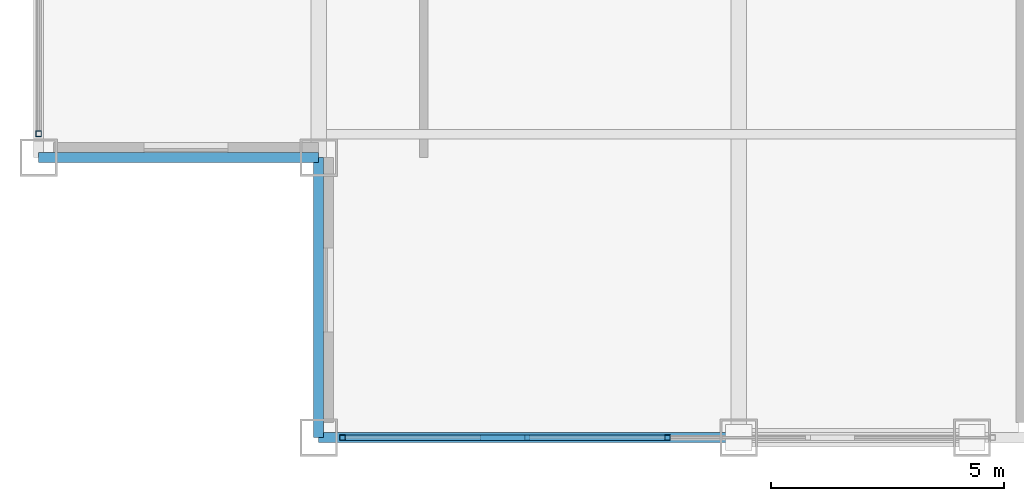
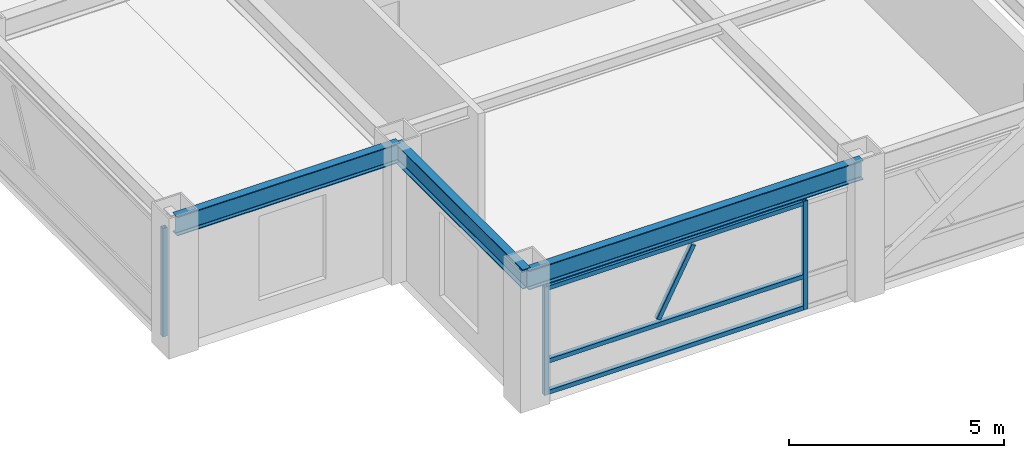
# One storey, part 2 of 29: 7 members, 3 beams, 2 elements without a shape of their own.
"""IFC4 building model written with IfcOpenShell, lengths in metres."""

from ifc_helpers import new_model, si_unit, direction, frame, origin, origin_2d, place, context, subcontext, project, spatial, hollow_rectangle, i_section, extrude, source, transform, mapped, material, material_profile, profile_set, type_object, element, aggregate, save


model = new_model("IFC4")

# Units and contexts
model_context = context("Model", 3, precision=1e-05, world=origin(), true_north=direction((0.0, 1.0)))
body_context = subcontext(model_context, "Body", "Model", "MODEL_VIEW")
ifc_project = project(units=[si_unit("LENGTHUNIT", "METRE"), si_unit("AREAUNIT", "SQUARE_METRE"), si_unit("VOLUMEUNIT", "CUBIC_METRE"), si_unit("PLANEANGLEUNIT", "RADIAN"), si_unit("MASSUNIT", "GRAM", prefix="KILO")], contexts=[model_context])

# Site, building, storey
site_placement = place(None, origin())
site = spatial("IfcSite", under=ifc_project, at=site_placement, CompositionType="ELEMENT")
building_placement = place(site_placement, origin())
building = spatial("IfcBuilding", under=site, at=building_placement, Name="Khorayat Bourse Tower", CompositionType="ELEMENT")
storey_placement = place(building_placement, frame((0.0, 0.0, 350.300048828125)))
storey = spatial("IfcBuildingStorey", under=building, at=storey_placement, Name="L83", CompositionType="ELEMENT", Elevation=350.300048828125)

# Beams
ifc_material_1 = material(Name="Steel ASTM A992 Grade 50", Category="steel")
ifc_material_profile_1 = material_profile(ifc_material_1, i_section(OverallWidth=0.214111328125, OverallDepth=0.549072265625, WebThickness=0.0146484375, FlangeThickness=0.023681640625, FilletRadius=0.013916015625, at=origin_2d()), Name="W530X138")
ifc_profile_set_1 = profile_set([ifc_material_profile_1], Name="Steel ASTM A992 Grade 50")
beam_type = type_object("IfcBeamType", Name="BM-SPAN-530", PredefinedType="SPANDREL", material=ifc_profile_set_1)
shared_shape_1 = source(origin(), body_context, "Body", "SweptSolid", [
    extrude(i_section(OverallWidth=0.214111328125, OverallDepth=0.549072265625, WebThickness=0.0146484375, FlangeThickness=0.023681640625, FilletRadius=0.013916015625, at=origin_2d()), origin(), (0.0, 0.0, 1.0), 9.0),
])
beam_placement = place(storey_placement, frame((-20.0, -26.0, 3.46533203125), z_axis=(1.0, 0.0, 0.0), x_axis=(0.0, 1.0, 0.0)))
element("IfcBeam", 1, at=beam_placement, inside=storey, type_object=beam_type, Name="L83 BM-SPAN-530 BM-L83-SPN-021", PredefinedType="SPANDREL", context=body_context, shape_type="MappedRepresentation", body=[
    mapped(shared_shape_1, transform((0.0, 0.0, 0.0), scale=1.0)),
])
shared_shape_2 = source(origin(), body_context, "Body", "SweptSolid", [
    extrude(i_section(OverallWidth=0.214111328125, OverallDepth=0.549072265625, WebThickness=0.0146484375, FlangeThickness=0.023681640625, FilletRadius=0.013916015625, at=origin_2d()), origin(), (0.0, 0.0, 1.0), 6.0),
])
for number, where, z_axis, x_axis, name in (
    (2, (-26.0, -20.0, 3.46533203125), (1.0, 0.0, 0.0), (0.0, 1.0, 0.0), "L83 BM-SPAN-530 BM-L83-SPN-051"),
    (3, (-20.0, -26.0, 3.46533203125), (0.0, 1.0, 0.0), (-1.0, 0.0, 0.0), "L83 BM-SPAN-530 BM-L83-SPN-052"),
):
    element("IfcBeam", number, at=place(storey_placement, frame(where, z_axis=z_axis, x_axis=x_axis)), inside=storey, type_object=beam_type, Name=name, PredefinedType="SPANDREL", context=body_context, shape_type="MappedRepresentation", body=[
        mapped(shared_shape_2, transform((0.0, 0.0, 0.0), scale=1.0)),
    ])

# Curtain wall, members
ifc_material_2 = material(Name="Aluminium EN AW-6063 T6", Category="aluminium")
curtain_wall_type = type_object("IfcCurtainWallType", Name="CW-SYS-06", PredefinedType="NOTDEFINED", material=ifc_material_2)
curtain_wall_1_placement = place(storey_placement, origin())
curtain_wall_1 = element("IfcCurtainWall", 4, at=curtain_wall_1_placement, inside=storey, type_object=curtain_wall_type, Name="L83 Curtain Wall CW-L83-S1", PredefinedType="NOTDEFINED")
ifc_material_profile_2 = material_profile(ifc_material_2, hollow_rectangle(XDim=0.1201171875, YDim=0.1201171875, WallThickness=0.0048828125, at=origin_2d()), Name="ALU 120x120x5")
ifc_profile_set_2 = profile_set([ifc_material_profile_2], Name="Aluminium EN AW-6063 T6")
member_type_1 = type_object("IfcMemberType", Name="CWM-VERT-120", PredefinedType="MULLION", material=ifc_profile_set_2)
shared_shape_3 = source(origin(), body_context, "Body", "SweptSolid", [
    extrude(hollow_rectangle(XDim=0.1201171875, YDim=0.1201171875, WallThickness=0.0048828125, at=origin_2d()), origin(), (0.0, 0.0, 1.0), 3.08984375),
])
member_1_placement = place(storey_placement, frame((-19.489990234375, -26.0, 0.0), z_axis=(0.0, 0.0, 1.0), x_axis=(0.0, 1.0, 0.0)))
member_1 = element("IfcMember", 5, at=member_1_placement, type_object=member_type_1, Name="CW-L83-S1 Vertical Mullion 1", PredefinedType="MULLION", context=body_context, shape_type="MappedRepresentation", body=[
    mapped(shared_shape_3, transform((0.0, 0.0, 0.0), scale=1.0)),
])
member_2_placement = place(storey_placement, frame((-12.52490234375, -26.0, 0.0), z_axis=(0.0, 0.0, 1.0), x_axis=(0.0, 1.0, 0.0)))
member_2 = element("IfcMember", 6, at=member_2_placement, type_object=member_type_1, Name="CW-L83-S1 Vertical Mullion 2", PredefinedType="MULLION", context=body_context, shape_type="MappedRepresentation", body=[
    mapped(shared_shape_3, transform((0.0, 0.0, 0.0), scale=1.0)),
])

# Curtain wall, member
curtain_wall_2_placement = place(storey_placement, origin())
curtain_wall_2 = element("IfcCurtainWall", 7, at=curtain_wall_2_placement, inside=storey, type_object=curtain_wall_type, Name="L83 Curtain Wall CW-L83-W1", PredefinedType="NOTDEFINED")
member_3_placement = place(storey_placement, frame((-26.0, -19.489990234375, 0.0), z_axis=(0.0, 0.0, 1.0), x_axis=(1.0, 0.0, 0.0)))
member_3 = element("IfcMember", 8, at=member_3_placement, type_object=member_type_1, Name="CW-L83-W1 Vertical Mullion 4", PredefinedType="MULLION", context=body_context, shape_type="MappedRepresentation", body=[
    mapped(shared_shape_3, transform((0.0, 0.0, 0.0), scale=1.0)),
])
aggregate(curtain_wall_2, [member_3])

# Member
ifc_material_profile_3 = material_profile(ifc_material_2, hollow_rectangle(XDim=0.1201171875, YDim=0.1201171875, WallThickness=0.0048828125, at=origin_2d()), Name="ALU 120x120x5")
ifc_profile_set_3 = profile_set([ifc_material_profile_3], Name="Aluminium EN AW-6063 T6")
member_type_2 = type_object("IfcMemberType", Name="CWM-DIAG-120", PredefinedType="MULLION", material=ifc_profile_set_3)
shared_shape_4 = source(origin(), body_context, "Body", "SweptSolid", [
    extrude(hollow_rectangle(XDim=0.1201171875, YDim=0.1201171875, WallThickness=0.0048828125, at=origin_2d()), origin(), (0.0, 0.0, 1.0), 2.0341796875),
])
member_4_placement = place(storey_placement, frame((-16.481201171875, -26.0, 1.08984375), z_axis=(0.465696964104, 0.0, 0.884944256789), x_axis=(0.0, 1.0, 0.0)))
member_4 = element("IfcMember", 9, at=member_4_placement, type_object=member_type_2, Name="CW-L83-S1 Faceted Diagonal Mullion 1", PredefinedType="MULLION", context=body_context, shape_type="MappedRepresentation", body=[
    mapped(shared_shape_4, transform((0.0, 0.0, 0.0), scale=1.0)),
])

ifc_material_profile_4 = material_profile(ifc_material_2, hollow_rectangle(XDim=0.1201171875, YDim=0.1201171875, WallThickness=0.0048828125, at=origin_2d()), Name="ALU 120x120x5")
ifc_profile_set_4 = profile_set([ifc_material_profile_4], Name="Aluminium EN AW-6063 T6")
member_type_3 = type_object("IfcMemberType", Name="CWT-HORZ-120", PredefinedType="USERDEFINED", material=ifc_profile_set_4)
shared_shape_5 = source(origin(), body_context, "Body", "SweptSolid", [
    extrude(hollow_rectangle(XDim=0.1201171875, YDim=0.1201171875, WallThickness=0.0048828125, at=origin_2d()), origin(), (0.0, 0.0, 1.0), 6.844970703125),
])
member_5_placement = place(storey_placement, frame((-19.429931640625, -26.0, 0.06005859375), z_axis=(1.0, 0.0, 0.0), x_axis=(0.0, 1.0, 0.0)))
member_5 = element("IfcMember", 10, at=member_5_placement, type_object=member_type_3, Name="CW-L83-S1 Horizontal Transom 1-1", ObjectType="TRANSOM", PredefinedType="USERDEFINED", context=body_context, shape_type="MappedRepresentation", body=[
    mapped(shared_shape_5, transform((0.0, 0.0, 0.0), scale=1.0)),
])

member_6_placement = place(storey_placement, frame((-19.429931640625, -26.0, 0.949951171875), z_axis=(1.0, 0.0, 0.0), x_axis=(0.0, 1.0, 0.0)))
member_6 = element("IfcMember", 11, at=member_6_placement, type_object=member_type_3, Name="CW-L83-S1 Horizontal Transom 1-2", ObjectType="TRANSOM", PredefinedType="USERDEFINED", context=body_context, shape_type="MappedRepresentation", body=[
    mapped(shared_shape_5, transform((0.0, 0.0, 0.0), scale=1.0)),
])

member_7_placement = place(storey_placement, frame((-19.429931640625, -26.0, 3.030029296875), z_axis=(1.0, 0.0, 0.0), x_axis=(0.0, 1.0, 0.0)))
member_7 = element("IfcMember", 12, at=member_7_placement, type_object=member_type_3, Name="CW-L83-S1 Horizontal Transom 1-3", ObjectType="TRANSOM", PredefinedType="USERDEFINED", context=body_context, shape_type="MappedRepresentation", body=[
    mapped(shared_shape_5, transform((0.0, 0.0, 0.0), scale=1.0)),
])

aggregate(curtain_wall_1, [member_1, member_2, member_5, member_6, member_7, member_4])

save(model, "model.ifc")
